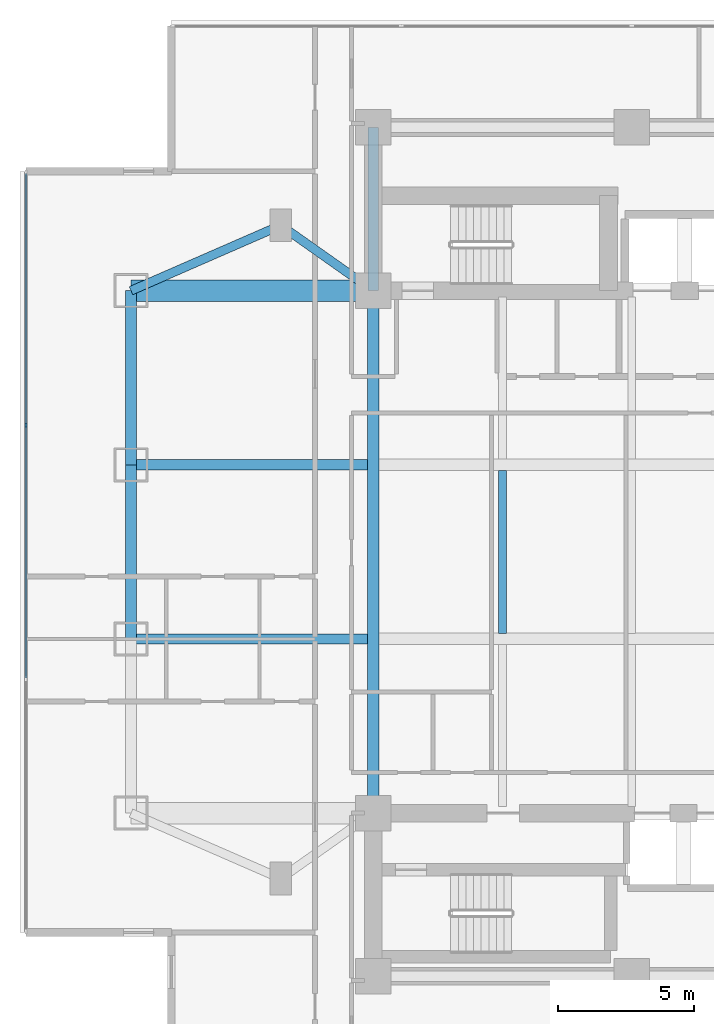
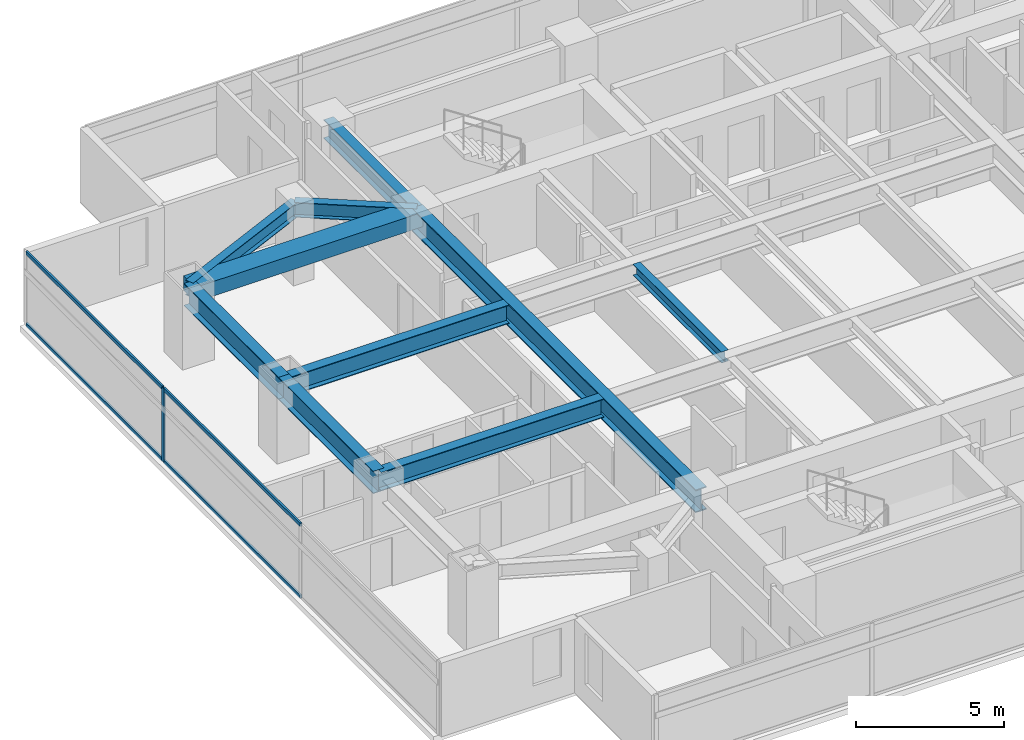
# One storey, part 3 of 24: 10 beams, 5 members, 1 element without a shape of its own.
"""IFC4 building model written with IfcOpenShell, lengths in metres."""

from ifc_helpers import new_model, si_unit, direction, frame, origin, origin_2d, place, context, subcontext, project, spatial, rectangle, i_section, extrude, material, material_profile, profile_set, type_object, element, aggregate, save


model = new_model("IFC4")

# Units and contexts
model_context = context("Model", 3, precision=1e-05, world=origin(), true_north=direction((0.0, 1.0)))
body_context = subcontext(model_context, "Body", "Model", "MODEL_VIEW")
ifc_project = project(units=[si_unit("LENGTHUNIT", "METRE"), si_unit("AREAUNIT", "SQUARE_METRE"), si_unit("VOLUMEUNIT", "CUBIC_METRE"), si_unit("PLANEANGLEUNIT", "RADIAN"), si_unit("MASSUNIT", "GRAM", prefix="KILO")], contexts=[model_context])

# Site, building, storey
site_placement = place(None, origin())
site = spatial("IfcSite", under=ifc_project, at=site_placement, CompositionType="ELEMENT")
building_placement = place(site_placement, origin())
building = spatial("IfcBuilding", under=site, at=building_placement, Name="Mirazonda Arch Towers", CompositionType="ELEMENT")
storey_placement = place(building_placement, frame((0.0, 0.0, 71.89990234375)))
storey = spatial("IfcBuildingStorey", under=building, at=storey_placement, Name="L20", CompositionType="ELEMENT", Elevation=71.89990234375)

# Beams
ifc_material_1 = material(Name="Steel ASTM A992 Grade 50", Category="steel")
ifc_material_profile_1 = material_profile(ifc_material_1, i_section(OverallWidth=0.41796875, OverallDepth=0.927001953125, WebThickness=0.019287109375, FlangeThickness=0.031982421875, at=origin_2d()), Name="W36X231")
ifc_profile_set_1 = profile_set([ifc_material_profile_1], Name="Steel ASTM A992 Grade 50")
beam_type_1 = type_object("IfcBeamType", Name="BM-EXT-W36X231", PredefinedType="USERDEFINED", material=ifc_profile_set_1)
beam_1_placement = place(storey_placement, frame((2.10009765625, 24.800048828125, 2.5966796875), z_axis=(0.0, 1.0, 0.0), x_axis=(-1.0, 0.0, 0.0)))
element("IfcBeam", 1, at=beam_1_placement, inside=storey, type_object=beam_type_1, Name="L20 Floor Beam BM-T1-L20-NS-W-24", ObjectType="GIRDER", PredefinedType="USERDEFINED", context=body_context, shape_type="SweptSolid", body=[
    extrude(i_section(OverallWidth=0.41796875, OverallDepth=0.927001953125, WebThickness=0.019287109375, FlangeThickness=0.031982421875, at=origin_2d()), origin(), (0.0, 0.0, 1.0), 6.39990234375),
])
beam_2_placement = place(storey_placement, frame((2.10009765625, 31.199951171875, 2.5966796875), z_axis=(0.0, 1.0, 0.0), x_axis=(-1.0, 0.0, 0.0)))
element("IfcBeam", 2, at=beam_2_placement, inside=storey, type_object=beam_type_1, Name="L20 Floor Beam BM-T1-L20-NS-W-31", ObjectType="GIRDER", PredefinedType="USERDEFINED", context=body_context, shape_type="SweptSolid", body=[
    extrude(i_section(OverallWidth=0.41796875, OverallDepth=0.927001953125, WebThickness=0.019287109375, FlangeThickness=0.031982421875, at=origin_2d()), origin(), (0.0, 0.0, 1.0), 6.400146484375),
])
ifc_material_profile_2 = material_profile(ifc_material_1, i_section(OverallWidth=0.280029296875, OverallDepth=0.462890625, WebThickness=0.0107421875, FlangeThickness=0.017333984375, at=origin_2d()), Name="W18X76")
ifc_profile_set_2 = profile_set([ifc_material_profile_2], Name="Steel ASTM A992 Grade 50")
beam_type_2 = type_object("IfcBeamType", Name="BM-INT-W18X76", PredefinedType="JOIST", material=ifc_profile_set_2)
beam_3_placement = place(storey_placement, frame((15.75, 25.007568359375, 2.82861328125), z_axis=(0.0, 1.0, 0.0), x_axis=(-1.0, 0.0, 0.0)))
element("IfcBeam", 3, at=beam_3_placement, inside=storey, type_object=beam_type_2, Name="L20 Floor Beam BM-T1-L20-J-157-24", PredefinedType="JOIST", context=body_context, shape_type="SweptSolid", body=[
    extrude(i_section(OverallWidth=0.280029296875, OverallDepth=0.462890625, WebThickness=0.0107421875, FlangeThickness=0.017333984375, at=origin_2d()), origin(), (0.0, 0.0, 1.0), 5.98486328125),
])
ifc_material_profile_3 = material_profile(ifc_material_1, i_section(OverallWidth=0.324951171875, OverallDepth=0.615966796875, WebThickness=0.013916015625, FlangeThickness=0.021484375, at=origin_2d()), Name="W24X117")
ifc_profile_set_3 = profile_set([ifc_material_profile_3], Name="Steel ASTM A992 Grade 50")
beam_type_3 = type_object("IfcBeamType", Name="BM-INT-W24X117", PredefinedType="BEAM", material=ifc_profile_set_3)
beam_4_placement = place(storey_placement, frame((7.60009765625, 40.0, 2.752197265625), z_axis=(0.816971114901, -0.576678591087, 0.0), x_axis=(0.576678591087, 0.816971114901, 0.0)))
element("IfcBeam", 4, at=beam_4_placement, inside=storey, type_object=beam_type_3, Name="L20 Floor Beam BM-T1-L20-PL-NW1", PredefinedType="BEAM", context=body_context, shape_type="SweptSolid", body=[
    extrude(i_section(OverallWidth=0.324951171875, OverallDepth=0.615966796875, WebThickness=0.013916015625, FlangeThickness=0.021484375, at=origin_2d()), origin(), (0.0, 0.0, 1.0), 4.16162109375),
])
beam_5_placement = place(storey_placement, frame((7.60009765625, 40.0, 2.752197265625), z_axis=(-0.916545343703, -0.399930785183, 0.0), x_axis=(0.399930785183, -0.916545343703, 0.0)))
element("IfcBeam", 5, at=beam_5_placement, inside=storey, type_object=beam_type_3, Name="L20 Floor Beam BM-T1-L20-PL-NW2", PredefinedType="BEAM", context=body_context, shape_type="SweptSolid", body=[
    extrude(i_section(OverallWidth=0.324951171875, OverallDepth=0.615966796875, WebThickness=0.013916015625, FlangeThickness=0.021484375, at=origin_2d()), origin(), (0.0, 0.0, 1.0), 6.000732421875),
])
ifc_material_profile_4 = material_profile(ifc_material_1, i_section(OverallWidth=0.381103515625, OverallDepth=0.77294921875, WebThickness=0.0166015625, FlangeThickness=0.027099609375, at=origin_2d()), Name="W30X173")
ifc_profile_set_4 = profile_set([ifc_material_profile_4], Name="Steel ASTM A992 Grade 50")
beam_type_4 = type_object("IfcBeamType", Name="BM-INT-W30X173", PredefinedType="USERDEFINED", material=ifc_profile_set_4)
for number, where, z_axis, x_axis, name in (
    (6, (2.10009765625, 24.800048828125, 2.673583984375), (1.0, 0.0, 0.0), (0.0, 1.0, 0.0), "L20 Floor Beam BM-T1-L20-GW2"),
    (7, (2.10009765625, 31.199951171875, 2.673583984375), (1.0, 0.0, 0.0), (0.0, 1.0, 0.0), "L20 Floor Beam BM-T1-L20-GW3"),
):
    element("IfcBeam", number, at=place(storey_placement, frame(where, z_axis=z_axis, x_axis=x_axis)), inside=storey, type_object=beam_type_4, Name=name, ObjectType="GIRDER", PredefinedType="USERDEFINED", context=body_context, shape_type="SweptSolid", body=[
        extrude(i_section(OverallWidth=0.381103515625, OverallDepth=0.77294921875, WebThickness=0.0166015625, FlangeThickness=0.027099609375, at=origin_2d()), origin(), (0.0, 0.0, 1.0), 8.6884765625),
    ])
beam_6_placement = place(storey_placement, frame((11.0, 37.60009765625, 2.673583984375), z_axis=(0.0, 1.0, 0.0), x_axis=(-1.0, 0.0, 0.0)))
element("IfcBeam", 8, at=beam_6_placement, inside=storey, type_object=beam_type_4, Name="L20 Floor Beam BM-T1-L20-CNW", ObjectType="GIRDER", PredefinedType="USERDEFINED", context=body_context, shape_type="SweptSolid", body=[
    extrude(i_section(OverallWidth=0.381103515625, OverallDepth=0.77294921875, WebThickness=0.0166015625, FlangeThickness=0.027099609375, at=origin_2d()), origin(), (0.0, 0.0, 1.0), 6.0),
])
ifc_material_profile_5 = material_profile(ifc_material_1, i_section(OverallWidth=0.423095703125, OverallDepth=0.947998046875, WebThickness=0.02392578125, FlangeThickness=0.042724609375, at=origin_2d()), Name="W36X302")
ifc_profile_set_5 = profile_set([ifc_material_profile_5], Name="Steel ASTM A992 Grade 50")
beam_type_5 = type_object("IfcBeamType", Name="BM-INT-W36X302", PredefinedType="USERDEFINED", material=ifc_profile_set_5)
beam_7_placement = place(storey_placement, frame((11.0, 18.39990234375, 2.586181640625), z_axis=(0.0, 1.0, 0.0), x_axis=(-1.0, 0.0, 0.0)))
element("IfcBeam", 9, at=beam_7_placement, inside=storey, type_object=beam_type_5, Name="L20 Floor Beam BM-T1-L20-NS-CW-FULL", ObjectType="GIRDER", PredefinedType="USERDEFINED", context=body_context, shape_type="SweptSolid", body=[
    extrude(i_section(OverallWidth=0.423095703125, OverallDepth=0.947998046875, WebThickness=0.02392578125, FlangeThickness=0.042724609375, at=origin_2d()), origin(), (0.0, 0.0, 1.0), 19.2001953125),
])
ifc_material_2 = material(Name="Concrete C60/75", Category="concrete")
ifc_material_profile_6 = material_profile(ifc_material_2, rectangle(XDim=0.800048828125, YDim=0.60009765625, at=origin_2d()), Name="RCCB800x600")
ifc_profile_set_6 = profile_set([ifc_material_profile_6], Name="Concrete C60/75")
beam_type_6 = type_object("IfcBeamType", Name="CB-INT-RCCB800x600", PredefinedType="SPANDREL", material=ifc_profile_set_6)
beam_8_placement = place(storey_placement, frame((2.10009765625, 37.60009765625, 2.760009765625), z_axis=(1.0, 0.0, 0.0), x_axis=(0.0, 1.0, 0.0)))
element("IfcBeam", 10, at=beam_8_placement, inside=storey, type_object=beam_type_6, Name="L20 Floor Beam CBC-T1-L20-NW", PredefinedType="SPANDREL", context=body_context, shape_type="SweptSolid", body=[
    extrude(rectangle(XDim=0.800048828125, YDim=0.60009765625, at=origin_2d()), origin(), (0.0, 0.0, 1.0), 8.89990234375),
])

# Curtain wall, members
ifc_material_3 = material(Name="Anodised Aluminium and Low-E Glass", Category="aluminium")
curtain_wall_type = type_object("IfcCurtainWallType", Name="CW-HTL-UNIT", PredefinedType="NOTDEFINED", material=ifc_material_3)
curtain_wall_placement = place(storey_placement, origin())
curtain_wall = element("IfcCurtainWall", 11, at=curtain_wall_placement, inside=storey, type_object=curtain_wall_type, Name="L20 T1 W Facade CW-L20-T1-W", PredefinedType="NOTDEFINED")
ifc_material_4 = material(Name="Anodised Aluminium Alloy", Category="aluminium")
ifc_material_profile_7 = material_profile(ifc_material_4, rectangle(XDim=0.074951171875, YDim=0.1650390625, at=origin_2d()), Name="ALU-MULL-75x165")
ifc_profile_set_7 = profile_set([ifc_material_profile_7], Name="Anodised Aluminium Alloy")
member_type_1 = type_object("IfcMemberType", Name="MULL-CW-HTL-UNIT", PredefinedType="MULLION", material=ifc_profile_set_7)
member_1_placement = place(storey_placement, frame((-1.760009765625, 32.66259765625, 0.0), z_axis=(0.0, 0.0, 1.0), x_axis=(1.0, 0.0, 0.0)))
member_1 = element("IfcMember", 12, at=member_1_placement, type_object=member_type_1, Name="CW-112 mullion 2", PredefinedType="MULLION", context=body_context, shape_type="SweptSolid", body=[
    extrude(rectangle(XDim=0.074951171875, YDim=0.1650390625, at=origin_2d()), origin(), (0.0, 0.0, 1.0), 3.0400390625),
])
ifc_material_profile_8 = material_profile(ifc_material_4, rectangle(XDim=0.074951171875, YDim=0.14501953125, at=origin_2d()), Name="ALU-TRAN-75x145")
ifc_profile_set_8 = profile_set([ifc_material_profile_8], Name="Anodised Aluminium Alloy")
member_type_2 = type_object("IfcMemberType", Name="TRAN-CW-HTL-UNIT", PredefinedType="USERDEFINED", material=ifc_profile_set_8)
member_2_placement = place(storey_placement, frame((-1.760009765625, 41.9130859375, 0.03759765625), z_axis=(0.0, -1.0, 0.0), x_axis=(1.0, 0.0, 0.0)))
member_2 = element("IfcMember", 13, at=member_2_placement, type_object=member_type_2, Name="CW-112 transom 1.1", ObjectType="TRANSOM", PredefinedType="USERDEFINED", context=body_context, shape_type="SweptSolid", body=[
    extrude(rectangle(XDim=0.074951171875, YDim=0.14501953125, at=origin_2d()), origin(), (0.0, 0.0, 1.0), 9.212890625),
])
member_3_placement = place(storey_placement, frame((-1.760009765625, 41.9130859375, 3.002685546875), z_axis=(0.0, -1.0, 0.0), x_axis=(1.0, 0.0, 0.0)))
member_3 = element("IfcMember", 14, at=member_3_placement, type_object=member_type_2, Name="CW-112 transom 1.2", ObjectType="TRANSOM", PredefinedType="USERDEFINED", context=body_context, shape_type="SweptSolid", body=[
    extrude(rectangle(XDim=0.074951171875, YDim=0.14501953125, at=origin_2d()), origin(), (0.0, 0.0, 1.0), 9.212890625),
])
member_4_placement = place(storey_placement, frame((-1.760009765625, 32.625244140625, 0.03759765625), z_axis=(0.0, -1.0, 0.0), x_axis=(1.0, 0.0, 0.0)))
member_4 = element("IfcMember", 15, at=member_4_placement, type_object=member_type_2, Name="CW-112 transom 2.1", ObjectType="TRANSOM", PredefinedType="USERDEFINED", context=body_context, shape_type="SweptSolid", body=[
    extrude(rectangle(XDim=0.074951171875, YDim=0.14501953125, at=origin_2d()), origin(), (0.0, 0.0, 1.0), 9.25048828125),
])
member_5_placement = place(storey_placement, frame((-1.760009765625, 32.625244140625, 3.002685546875), z_axis=(0.0, -1.0, 0.0), x_axis=(1.0, 0.0, 0.0)))
member_5 = element("IfcMember", 16, at=member_5_placement, type_object=member_type_2, Name="CW-112 transom 2.2", ObjectType="TRANSOM", PredefinedType="USERDEFINED", context=body_context, shape_type="SweptSolid", body=[
    extrude(rectangle(XDim=0.074951171875, YDim=0.14501953125, at=origin_2d()), origin(), (0.0, 0.0, 1.0), 9.25048828125),
])
aggregate(curtain_wall, [member_1, member_2, member_3, member_4, member_5])

save(model, "model.ifc")
